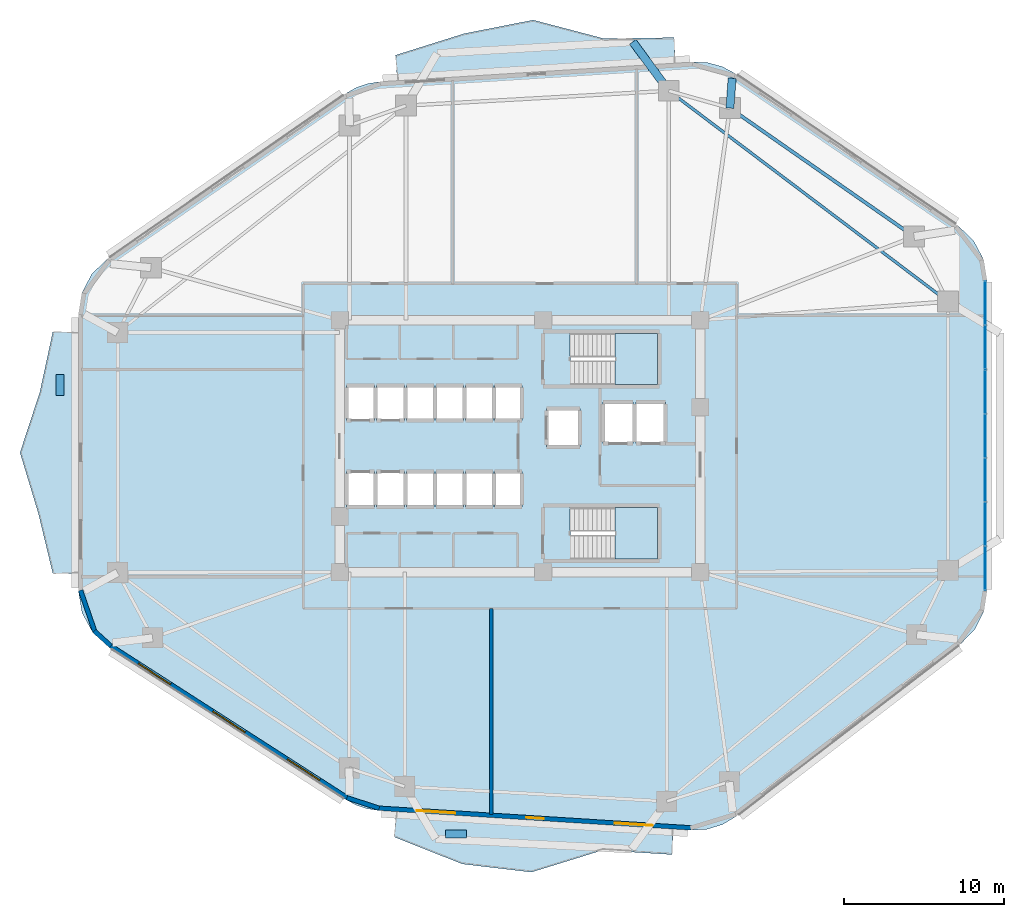
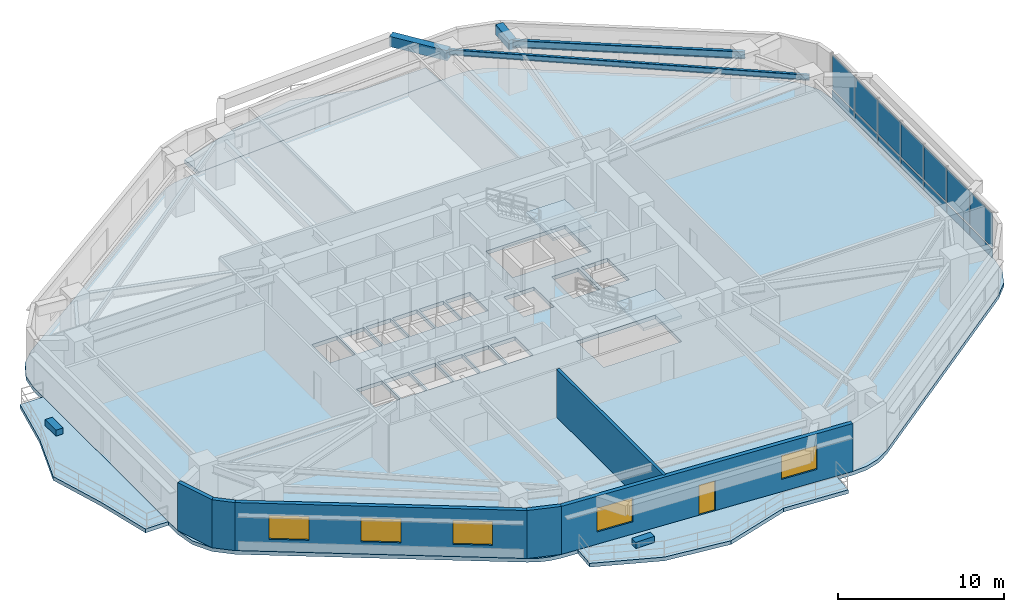
# One storey, part 7 of 14: 16 plates, 6 slabs, 6 walls, 5 windows, 4 beams, 1 door, 6 openings, 3 elements without a shape of their own.
"""IFC4 building model written with IfcOpenShell, lengths in metres."""

from ifc_helpers import new_model, si_unit, direction, frame, frame_2d, origin, origin_2d, place, context, subcontext, project, spatial, polyline, rectangle, i_section, outline, extrude, material, layer, layer_set, material_profile, profile_set, type_object, element, fill, aggregate, save


model = new_model("IFC4")

# Units and contexts
model_context = context("Model", 3, precision=1e-05, world=origin(), true_north=direction((0.0, 1.0)))
body_context = subcontext(model_context, "Body", "Model", "MODEL_VIEW")
ifc_project = project(units=[si_unit("LENGTHUNIT", "METRE"), si_unit("AREAUNIT", "SQUARE_METRE"), si_unit("VOLUMEUNIT", "CUBIC_METRE"), si_unit("PLANEANGLEUNIT", "RADIAN"), si_unit("MASSUNIT", "GRAM", prefix="KILO")], contexts=[model_context])

# Site, building, storey
site_placement = place(None, origin())
site = spatial("IfcSite", under=ifc_project, at=site_placement, CompositionType="ELEMENT")
building_placement = place(site_placement, origin())
building = spatial("IfcBuilding", under=site, at=building_placement, Name="Zulverin Broadcast Headquarters", CompositionType="ELEMENT")
storey_placement = place(building_placement, frame((0.0, 0.0, 40.199951171875)))
storey = spatial("IfcBuildingStorey", under=building, at=storey_placement, Name="L09", CompositionType="ELEMENT", Elevation=40.199951171875)

# Beams
ifc_material_1 = material(Name="Concrete C40/50", Category="concrete")
ifc_material_profile_1 = material_profile(ifc_material_1, rectangle(XDim=0.5, YDim=0.75, at=origin_2d()), Name="Concrete C40/50", Category="concrete")
ifc_profile_set_1 = profile_set([ifc_material_profile_1], Name="Concrete C40/50")
beam_type_1 = type_object("IfcBeamType", Name="BM-RC-500x750", PredefinedType="BEAM", material=ifc_profile_set_1)
beam_1_placement = place(storey_placement, frame((50.121826171875, 46.325927734375, 3.150146484375), z_axis=(0.073023006252, 0.997330256514, 0.0), x_axis=(-0.997330256514, 0.073023006252, 0.0)))
element("IfcBeam", 1, at=beam_1_placement, inside=storey, type_object=beam_type_1, Name="L10 Plate Overhang Back-Spanned Beam OVR-08", PredefinedType="BEAM", context=body_context, shape_type="SweptSolid", body=[
    extrude(rectangle(XDim=0.5, YDim=0.75, at=origin_2d()), origin(), (0.0, 0.0, 1.0), 1.875732421875),
])
beam_2_placement = place(storey_placement, frame((46.30224609375, 47.4091796875, 3.150146484375), z_axis=(-0.592925064887, 0.805257640404, 0.0), x_axis=(-0.805257640404, -0.592925064887, 0.0)))
element("IfcBeam", 2, at=beam_2_placement, inside=storey, type_object=beam_type_1, Name="L10 Balcony Column-Framed Cantilever BAL_N-1", PredefinedType="BEAM", context=body_context, shape_type="SweptSolid", body=[
    extrude(rectangle(XDim=0.5, YDim=0.75, at=origin_2d()), origin(), (0.0, 0.0, 1.0), 3.800048828125),
])
ifc_material_2 = material(Name="Structural steel S355JR", Category="steel")
ifc_material_profile_2 = material_profile(ifc_material_2, i_section(OverallWidth=0.179443359375, OverallDepth=0.412841796875, WebThickness=0.009521484375, FlangeThickness=0.01611328125, at=origin_2d()), Name="Structural steel S355JR", Category="steel")
ifc_profile_set_2 = profile_set([ifc_material_profile_2], Name="Structural steel S355JR")
beam_type_2 = type_object("IfcBeamType", Name="BM-UB-406", PredefinedType="JOIST", material=ifc_profile_set_2)
beam_3_placement = place(storey_placement, frame((63.75, 34.235107421875, 3.318603515625), z_axis=(-0.798058136838, 0.602580459546, 0.0), x_axis=(-0.602580459546, -0.798058136838, 0.0)))
element("IfcBeam", 3, at=beam_3_placement, inside=storey, type_object=beam_type_2, Name="L09 Chordal Floor Joist J-02", PredefinedType="JOIST", context=body_context, shape_type="SweptSolid", body=[
    extrude(i_section(OverallWidth=0.179443359375, OverallDepth=0.412841796875, WebThickness=0.009521484375, FlangeThickness=0.01611328125, at=origin_2d()), origin(), (0.0, 0.0, 1.0), 21.86279296875),
])
ifc_material_profile_3 = material_profile(ifc_material_2, i_section(OverallWidth=0.2119140625, OverallDepth=0.54443359375, WebThickness=0.0126953125, FlangeThickness=0.021240234375, at=origin_2d()), Name="Structural steel S355JR", Category="steel")
ifc_profile_set_3 = profile_set([ifc_material_profile_3], Name="Structural steel S355JR")
beam_type_3 = type_object("IfcBeamType", Name="BM-UB-533", PredefinedType="SPANDREL", material=ifc_profile_set_3)
beam_4_placement = place(storey_placement, frame((61.630126953125, 38.298583984375, 3.2529296875), z_axis=(-0.820183915206, 0.5720999434, 0.0), x_axis=(-0.5720999434, -0.820183915206, 0.0)))
element("IfcBeam", 4, at=beam_4_placement, inside=storey, type_object=beam_type_3, Name="L09 Perimeter Spandrel Beam SP-07", PredefinedType="SPANDREL", context=body_context, shape_type="SweptSolid", body=[
    extrude(i_section(OverallWidth=0.2119140625, OverallDepth=0.54443359375, WebThickness=0.0126953125, FlangeThickness=0.021240234375, at=origin_2d()), origin(), (0.0, 0.0, 1.0), 14.03125),
])

# Curtain wall, plates
ifc_material_3 = material(Name="Low-zone ribbon unitised curtain wall", Category="aluminium")
curtain_wall_type = type_object("IfcCurtainWallType", Name="CW-TWR-LOW", PredefinedType="USERDEFINED", material=ifc_material_3)
curtain_wall_placement = place(storey_placement, origin())
curtain_wall = element("IfcCurtainWall", 5, at=curtain_wall_placement, inside=storey, type_object=curtain_wall_type, Name="L09 Unitised Curtain Wall CW-L09-E3", ObjectType="UNITISED CURTAIN WALL", PredefinedType="USERDEFINED")
ifc_material_4 = material(Name="Low-E double-glazed pale-silver vision glass", Category="glass")
ifc_layer_1 = layer(ifc_material_4, 0.035888671875, Name="Low-E double-glazed pale-silver vision glass", Category="glass")
ifc_layer_set_1 = layer_set([ifc_layer_1], Name="Low-E double-glazed pale-silver vision glass")
plate_type_1 = type_object("IfcPlateType", Name="CW-PNL-GLZ", PredefinedType="CURTAIN_PANEL", material=ifc_layer_set_1)
plate_1_placement = place(storey_placement, frame((66.080078125, 17.564208984375, 0.910888671875), z_axis=(0.0, 0.0, 1.0), x_axis=(0.0, 1.0, 0.0)))
plate_1 = element("IfcPlate", 6, at=plate_1_placement, type_object=plate_type_1, Name="CW-L09-E3 Vision Panel 00", PredefinedType="CURTAIN_PANEL", context=body_context, shape_type="SweptSolid", body=[
    extrude(rectangle(XDim=2.7216796875, YDim=0.035888671875, at=origin_2d()), origin(), (0.0, 0.0, 1.0), 2.47412109375),
])
plate_2_placement = place(storey_placement, frame((66.080078125, 20.32568359375, 0.910888671875), z_axis=(0.0, 0.0, 1.0), x_axis=(0.0, 1.0, 0.0)))
plate_2 = element("IfcPlate", 7, at=plate_2_placement, type_object=plate_type_1, Name="CW-L09-E3 Vision Panel 01", PredefinedType="CURTAIN_PANEL", context=body_context, shape_type="SweptSolid", body=[
    extrude(rectangle(XDim=2.7216796875, YDim=0.035888671875, at=origin_2d()), origin(), (0.0, 0.0, 1.0), 2.47412109375),
])
plate_3_placement = place(storey_placement, frame((66.080078125, 23.08740234375, 0.910888671875), z_axis=(0.0, 0.0, 1.0), x_axis=(0.0, 1.0, 0.0)))
plate_3 = element("IfcPlate", 8, at=plate_3_placement, type_object=plate_type_1, Name="CW-L09-E3 Vision Panel 02", PredefinedType="CURTAIN_PANEL", context=body_context, shape_type="SweptSolid", body=[
    extrude(rectangle(XDim=2.7216796875, YDim=0.035888671875, at=origin_2d()), origin(), (0.0, 0.0, 1.0), 2.47412109375),
])
plate_4_placement = place(storey_placement, frame((66.080078125, 25.848876953125, 0.910888671875), z_axis=(0.0, 0.0, 1.0), x_axis=(0.0, 1.0, 0.0)))
plate_4 = element("IfcPlate", 9, at=plate_4_placement, type_object=plate_type_1, Name="CW-L09-E3 Vision Panel 03", PredefinedType="CURTAIN_PANEL", context=body_context, shape_type="SweptSolid", body=[
    extrude(rectangle(XDim=2.7216796875, YDim=0.035888671875, at=origin_2d()), origin(), (0.0, 0.0, 1.0), 2.47412109375),
])
plate_5_placement = place(storey_placement, frame((66.080078125, 28.610595703125, 0.910888671875), z_axis=(0.0, 0.0, 1.0), x_axis=(0.0, 1.0, 0.0)))
plate_5 = element("IfcPlate", 10, at=plate_5_placement, type_object=plate_type_1, Name="CW-L09-E3 Vision Panel 04", PredefinedType="CURTAIN_PANEL", context=body_context, shape_type="SweptSolid", body=[
    extrude(rectangle(XDim=2.7216796875, YDim=0.035888671875, at=origin_2d()), origin(), (0.0, 0.0, 1.0), 2.47412109375),
])
plate_6_placement = place(storey_placement, frame((66.080078125, 31.3720703125, 0.910888671875), z_axis=(0.0, 0.0, 1.0), x_axis=(0.0, 1.0, 0.0)))
plate_6 = element("IfcPlate", 11, at=plate_6_placement, type_object=plate_type_1, Name="CW-L09-E3 Vision Panel 05", PredefinedType="CURTAIN_PANEL", context=body_context, shape_type="SweptSolid", body=[
    extrude(rectangle(XDim=2.7216796875, YDim=0.035888671875, at=origin_2d()), origin(), (0.0, 0.0, 1.0), 2.47412109375),
])
plate_7_placement = place(storey_placement, frame((66.080078125, 34.1337890625, 0.910888671875), z_axis=(0.0, 0.0, 1.0), x_axis=(0.0, 1.0, 0.0)))
plate_7 = element("IfcPlate", 12, at=plate_7_placement, type_object=plate_type_1, Name="CW-L09-E3 Vision Panel 06", PredefinedType="CURTAIN_PANEL", context=body_context, shape_type="SweptSolid", body=[
    extrude(rectangle(XDim=2.7216796875, YDim=0.035888671875, at=origin_2d()), origin(), (0.0, 0.0, 1.0), 2.47412109375),
])
ifc_material_5 = material(Name="Insulated brushed pale-aluminium spandrel cassette", Category="aluminium")
ifc_layer_2 = layer(ifc_material_5, 0.050048828125, Name="Insulated brushed pale-aluminium spandrel cassette", Category="aluminium")
ifc_layer_set_2 = layer_set([ifc_layer_2], Name="Insulated brushed pale-aluminium spandrel cassette")
plate_type_2 = type_object("IfcPlateType", Name="CW-PNL-SPN", PredefinedType="CURTAIN_PANEL", material=ifc_layer_set_2)
plate_8_placement = place(storey_placement, frame((66.080078125, 17.564208984375, 0.139892578125), z_axis=(0.0, 0.0, 1.0), x_axis=(0.0, 1.0, 0.0)))
plate_8 = element("IfcPlate", 13, at=plate_8_placement, type_object=plate_type_2, Name="CW-L09-E3 Spandrel Cassette 00", PredefinedType="CURTAIN_PANEL", context=body_context, shape_type="SweptSolid", body=[
    extrude(rectangle(XDim=2.7216796875, YDim=0.050048828125, at=origin_2d()), origin(), (0.0, 0.0, 1.0), 0.64111328125),
])
plate_9_placement = place(storey_placement, frame((66.080078125, 20.32568359375, 0.139892578125), z_axis=(0.0, 0.0, 1.0), x_axis=(0.0, 1.0, 0.0)))
plate_9 = element("IfcPlate", 14, at=plate_9_placement, type_object=plate_type_2, Name="CW-L09-E3 Spandrel Cassette 01", PredefinedType="CURTAIN_PANEL", context=body_context, shape_type="SweptSolid", body=[
    extrude(rectangle(XDim=2.7216796875, YDim=0.050048828125, at=origin_2d()), origin(), (0.0, 0.0, 1.0), 0.64111328125),
])
plate_10_placement = place(storey_placement, frame((66.080078125, 23.08740234375, 0.139892578125), z_axis=(0.0, 0.0, 1.0), x_axis=(0.0, 1.0, 0.0)))
plate_10 = element("IfcPlate", 15, at=plate_10_placement, type_object=plate_type_2, Name="CW-L09-E3 Spandrel Cassette 02", PredefinedType="CURTAIN_PANEL", context=body_context, shape_type="SweptSolid", body=[
    extrude(rectangle(XDim=2.7216796875, YDim=0.050048828125, at=origin_2d()), origin(), (0.0, 0.0, 1.0), 0.64111328125),
])
plate_11_placement = place(storey_placement, frame((66.080078125, 25.848876953125, 0.139892578125), z_axis=(0.0, 0.0, 1.0), x_axis=(0.0, 1.0, 0.0)))
plate_11 = element("IfcPlate", 16, at=plate_11_placement, type_object=plate_type_2, Name="CW-L09-E3 Spandrel Cassette 03", PredefinedType="CURTAIN_PANEL", context=body_context, shape_type="SweptSolid", body=[
    extrude(rectangle(XDim=2.7216796875, YDim=0.050048828125, at=origin_2d()), origin(), (0.0, 0.0, 1.0), 0.64111328125),
])
plate_12_placement = place(storey_placement, frame((66.080078125, 28.610595703125, 0.139892578125), z_axis=(0.0, 0.0, 1.0), x_axis=(0.0, 1.0, 0.0)))
plate_12 = element("IfcPlate", 17, at=plate_12_placement, type_object=plate_type_2, Name="CW-L09-E3 Spandrel Cassette 04", PredefinedType="CURTAIN_PANEL", context=body_context, shape_type="SweptSolid", body=[
    extrude(rectangle(XDim=2.7216796875, YDim=0.050048828125, at=origin_2d()), origin(), (0.0, 0.0, 1.0), 0.64111328125),
])
plate_13_placement = place(storey_placement, frame((66.080078125, 31.3720703125, 0.139892578125), z_axis=(0.0, 0.0, 1.0), x_axis=(0.0, 1.0, 0.0)))
plate_13 = element("IfcPlate", 18, at=plate_13_placement, type_object=plate_type_2, Name="CW-L09-E3 Spandrel Cassette 05", PredefinedType="CURTAIN_PANEL", context=body_context, shape_type="SweptSolid", body=[
    extrude(rectangle(XDim=2.7216796875, YDim=0.050048828125, at=origin_2d()), origin(), (0.0, 0.0, 1.0), 0.64111328125),
])
plate_14_placement = place(storey_placement, frame((66.080078125, 34.1337890625, 0.139892578125), z_axis=(0.0, 0.0, 1.0), x_axis=(0.0, 1.0, 0.0)))
plate_14 = element("IfcPlate", 19, at=plate_14_placement, type_object=plate_type_2, Name="CW-L09-E3 Spandrel Cassette 06", PredefinedType="CURTAIN_PANEL", context=body_context, shape_type="SweptSolid", body=[
    extrude(rectangle(XDim=2.7216796875, YDim=0.050048828125, at=origin_2d()), origin(), (0.0, 0.0, 1.0), 0.64111328125),
])
aggregate(curtain_wall, [plate_8, plate_1, plate_9, plate_2, plate_10, plate_3, plate_11, plate_4, plate_12, plate_5, plate_13, plate_6, plate_14, plate_7])

# Plates
ifc_material_6 = material(Name="Precast concrete C45/55", Category="concrete")
ifc_layer_3 = layer(ifc_material_6, 0.449951171875, Name="Precast concrete C45/55", Category="concrete")
ifc_layer_set_3 = layer_set([ifc_layer_3], Name="Precast concrete C45/55")
plate_type_3 = type_object("IfcPlateType", Name="PT-01_PRECAST_GFRC_TREE_PLANTER", PredefinedType="USERDEFINED", material=ifc_layer_set_3)
for number, where, z_axis, x_axis, name in (
    (20, (8.25, 29.022216796875, -0.0048828125), (0.0, 0.0, 1.0), (0.0, 1.0, 0.0), "L09 Precast GFRC Tree Planter BAL_W"),
    (21, (32.993408203125, 0.973876953125, -0.0048828125), (0.0, 0.0, 1.0), (1.0, 0.0, 0.0), "L09 Precast GFRC Tree Planter BAL_S"),
):
    element("IfcPlate", number, at=place(storey_placement, frame(where, z_axis=z_axis, x_axis=x_axis)), inside=storey, type_object=plate_type_3, Name=name, ObjectType="PLANTER", PredefinedType="USERDEFINED", context=body_context, shape_type="SweptSolid", body=[
        extrude(rectangle(XDim=1.300048828125, YDim=0.5, at=origin_2d()), origin(), (0.0, 0.0, 1.0), 0.449951171875),
    ])

# Slabs
ifc_layer_4 = layer(ifc_material_1, 0.27490234375, Name="Concrete C40/50", Category="concrete")
ifc_layer_set_4 = layer_set([ifc_layer_4], Name="Concrete C40/50")
slab_type_1 = type_object("IfcSlabType", Name="SLB-BAL-275", PredefinedType="FLOOR", material=ifc_layer_set_4)
slab_1_placement = place(storey_placement, frame((0.0, 0.0, -0.27490234375)))
element("IfcSlab", 22, at=slab_1_placement, inside=storey, type_object=slab_type_1, Name="L09 Cantilevered Planted Balcony Slab BAL_N", PredefinedType="FLOOR", context=body_context, shape_type="SweptSolid", body=[
    extrude(outline(polyline([(29.330078125, 48.04296875), (46.72509765625, 49.139892578125), (46.62451171875, 50.73681640625), (42.2626953125, 50.6689453125), (37.8232421875, 51.8349609375), (33.5107421875, 50.985107421875), (29.2294921875, 49.639892578125), (29.330078125, 48.04296875)])), origin(), (0.0, 0.0, 1.0), 0.27490234375),
])
slab_2_placement = place(storey_placement, frame((0.0, 0.0, -0.27490234375)))
element("IfcSlab", 23, at=slab_2_placement, inside=storey, type_object=slab_type_1, Name="L09 Cantilevered Planted Balcony Slab BAL_W", PredefinedType="FLOOR", context=body_context, shape_type="SweptSolid", body=[
    extrude(outline(polyline([(9.39990234375, 17.24365234375), (9.39990234375, 32.344482421875), (7.800048828125, 32.344482421875), (6.988037109375, 28.569091796875), (5.75, 24.7939453125), (6.89111328125, 21.018798828125), (7.800048828125, 17.24365234375), (9.39990234375, 17.24365234375)])), origin(), (0.0, 0.0, 1.0), 0.27490234375),
])
slab_3_placement = place(storey_placement, frame((0.0, 0.0, -0.27490234375)))
element("IfcSlab", 24, at=slab_3_placement, inside=storey, type_object=slab_type_1, Name="L09 Cantilevered Planted Balcony Slab BAL_S", PredefinedType="FLOOR", context=body_context, shape_type="SweptSolid", body=[
    extrude(outline(polyline([(46.5927734375, 1.268310546875), (29.250244140625, 2.3623046875), (29.149658203125, 0.765380859375), (33.396484375, -0.9169921875), (37.717041015625, -1.42822265625), (42.156494140625, -0.054931640625), (46.4921875, -0.328369140625), (46.5927734375, 1.268310546875)])), origin(), (0.0, 0.0, 1.0), 0.27490234375),
])

# Stair, slab
stair_type = type_object("IfcStairType", Name="ST-CORE-1500", PredefinedType="HALF_TURN_STAIR", material=ifc_material_1)
stair_1_placement = place(storey_placement, origin())
stair_1 = element("IfcStair", 25, at=stair_1_placement, inside=storey, type_object=stair_type, Name="L09 Core Exit Stair ST-1", PredefinedType="HALF_TURN_STAIR")
ifc_layer_5 = layer(ifc_material_1, 0.199951171875, Name="Concrete C40/50", Category="concrete")
ifc_layer_set_5 = layer_set([ifc_layer_5], Name="Concrete C40/50")
slab_type_2 = type_object("IfcSlabType", Name="SLB-ST-LND200", PredefinedType="LANDING", material=ifc_layer_set_5)
slab_4_placement = place(storey_placement, frame((0.0, 0.0, 1.699951171875)))
slab_4 = element("IfcSlab", 26, at=slab_4_placement, type_object=slab_type_2, Name="ST-1 landing 1", PredefinedType="LANDING", context=body_context, shape_type="SweptSolid", body=[
    extrude(outline(polyline([(42.929931640625, 29.050048828125), (45.60009765625, 29.050048828125), (45.60009765625, 32.25), (42.929931640625, 32.25), (42.929931640625, 29.050048828125)])), origin(), (0.0, 0.0, 1.0), 0.2001953125),
])
aggregate(stair_1, [slab_4])

stair_2_placement = place(storey_placement, origin())
stair_2 = element("IfcStair", 27, at=stair_2_placement, inside=storey, type_object=stair_type, Name="L09 Core Exit Stair ST-2", PredefinedType="HALF_TURN_STAIR")
slab_5_placement = place(storey_placement, frame((0.0, 0.0, 1.699951171875)))
slab_5 = element("IfcSlab", 28, at=slab_5_placement, type_object=slab_type_2, Name="ST-2 landing 1", PredefinedType="LANDING", context=body_context, shape_type="SweptSolid", body=[
    extrude(outline(polyline([(42.929931640625, 18.14990234375), (45.60009765625, 18.14990234375), (45.60009765625, 21.35009765625), (42.929931640625, 21.35009765625), (42.929931640625, 18.14990234375)])), origin(), (0.0, 0.0, 1.0), 0.2001953125),
])
aggregate(stair_2, [slab_5])

# Slab
ifc_layer_6 = layer(ifc_material_1, 0.27490234375, Name="Concrete C40/50", Category="concrete")
ifc_layer_set_6 = layer_set([ifc_layer_6], Name="Concrete C40/50")
slab_type_3 = type_object("IfcSlabType", Name="SLB-TWR-275", PredefinedType="FLOOR", material=ifc_layer_set_6)
slab_6_placement = place(storey_placement, frame((0.0, 0.0, -0.27490234375)))
element("IfcSlab", 29, at=slab_6_placement, inside=storey, type_object=slab_type_3, Name="L09 Main Structural Floor Slab", PredefinedType="FLOOR", context=body_context, shape_type="SweptSolid", body=[
    extrude(outline(polyline([(26.146484375, 3.089599609375), (26.774658203125, 2.75732421875), (27.44970703125, 2.535888671875), (28.152587890625, 2.431396484375), (47.690673828125, 1.19921875), (48.69189453125, 1.256103515625), (49.6513671875, 1.548828125), (50.51416015625, 2.060546875), (64.55908203125, 12.85302734375), (65.44140625, 13.77587890625), (66.005859375, 14.92138671875), (66.199951171875, 16.183349609375), (66.199951171875, 35.514404296875), (65.981689453125, 36.85107421875), (65.349365234375, 38.048583984375), (64.368896484375, 38.982666015625), (50.456298828125, 48.485595703125), (49.639404296875, 48.920166015625), (48.747314453125, 49.165283203125), (47.822998046875, 49.208984375), (28.232421875, 47.9736328125), (27.481201171875, 47.857421875), (26.76318359375, 47.607666015625), (26.102294921875, 47.232666015625), (11.20556640625, 36.89501953125), (10.238037109375, 35.9619140625), (9.614990234375, 34.77099609375), (9.39990234375, 33.4443359375), (9.39990234375, 16.1435546875), (9.631103515625, 14.769775390625), (10.298583984375, 13.547119140625), (11.32958984375, 12.610107421875), (26.146484375, 3.089599609375)]), holes=[polyline([(40.155029296875, 30.75), (40.130126953125, 30.75), (40.130126953125, 32.25), (45.60009765625, 32.25), (45.60009765625, 29.050048828125), (40.155029296875, 29.050048828125), (40.155029296875, 30.75)]), polyline([(40.155029296875, 19.85009765625), (40.130126953125, 19.85009765625), (40.130126953125, 21.35009765625), (45.60009765625, 21.35009765625), (45.60009765625, 18.14990234375), (40.155029296875, 18.14990234375), (40.155029296875, 19.85009765625)]), polyline([(26.14990234375, 26.800048828125), (27.89990234375, 26.800048828125), (27.89990234375, 29.0), (26.14990234375, 29.0), (26.14990234375, 26.800048828125)]), polyline([(28.02001953125, 26.800048828125), (29.77001953125, 26.800048828125), (29.77001953125, 29.0), (28.02001953125, 29.0), (28.02001953125, 26.800048828125)]), polyline([(26.14990234375, 21.39990234375), (27.89990234375, 21.39990234375), (27.89990234375, 23.60009765625), (26.14990234375, 23.60009765625), (26.14990234375, 21.39990234375)]), polyline([(28.02001953125, 21.39990234375), (29.77001953125, 21.39990234375), (29.77001953125, 23.60009765625), (28.02001953125, 23.60009765625), (28.02001953125, 21.39990234375)]), polyline([(29.89990234375, 21.39990234375), (31.6201171875, 21.39990234375), (31.6201171875, 23.60009765625), (29.89990234375, 23.60009765625), (29.89990234375, 21.39990234375)]), polyline([(31.739990234375, 21.39990234375), (33.4599609375, 21.39990234375), (33.4599609375, 23.60009765625), (31.739990234375, 23.60009765625), (31.739990234375, 21.39990234375)]), polyline([(33.580078125, 21.39990234375), (35.300048828125, 21.39990234375), (35.300048828125, 23.60009765625), (33.580078125, 23.60009765625), (33.580078125, 21.39990234375)]), polyline([(35.419921875, 21.39990234375), (37.139892578125, 21.39990234375), (37.139892578125, 23.60009765625), (35.419921875, 23.60009765625), (35.419921875, 21.39990234375)]), polyline([(29.89990234375, 26.800048828125), (31.6201171875, 26.800048828125), (31.6201171875, 29.0), (29.89990234375, 29.0), (29.89990234375, 26.800048828125)]), polyline([(31.739990234375, 26.800048828125), (33.4599609375, 26.800048828125), (33.4599609375, 29.0), (31.739990234375, 29.0), (31.739990234375, 26.800048828125)]), polyline([(33.580078125, 26.800048828125), (35.300048828125, 26.800048828125), (35.300048828125, 29.0), (33.580078125, 29.0), (33.580078125, 26.800048828125)]), polyline([(35.419921875, 26.800048828125), (37.139892578125, 26.800048828125), (37.139892578125, 29.0), (35.419921875, 29.0), (35.419921875, 26.800048828125)]), polyline([(42.199951171875, 25.35009765625), (44.050048828125, 25.35009765625), (44.050048828125, 27.949951171875), (42.199951171875, 27.949951171875), (42.199951171875, 25.35009765625)]), polyline([(44.25, 25.35009765625), (46.10009765625, 25.35009765625), (46.10009765625, 27.949951171875), (44.25, 27.949951171875), (44.25, 25.35009765625)]), polyline([(38.64990234375, 25.14990234375), (40.75, 25.14990234375), (40.75, 27.550048828125), (38.64990234375, 27.550048828125), (38.64990234375, 25.14990234375)])]), origin(), (0.0, 0.0, 1.0), 0.27490234375),
])

# Wall
ifc_material_7 = material(Name="Acoustic drywall steel stud", Category="steel")
ifc_layer_7 = layer(ifc_material_7, 0.199951171875, Name="Acoustic drywall steel stud", Category="steel")
ifc_layer_set_7 = layer_set([ifc_layer_7], Name="Acoustic drywall steel stud")
wall_type_1 = type_object("IfcWallType", Name="WL-ACOU-200", PredefinedType="PARTITIONING", material=ifc_layer_set_7)
wall_1_placement = place(storey_placement, frame((35.199951171875, 2.19189453125, 0.0), z_axis=(0.0, 0.0, 1.0), x_axis=(0.0, 1.0, 0.0)))
element("IfcWall", 30, at=wall_1_placement, inside=storey, type_object=wall_type_1, Name="L09 Room Partition Wall RP-03", PredefinedType="PARTITIONING", context=body_context, shape_type="SweptSolid", body=[
    extrude(rectangle(XDim=12.858154296875, YDim=0.199951171875, at=frame_2d((6.42919921875, 0.0))), origin(), (0.0, 0.0, 1.0), 3.525146484375),
])

# Wall, openings, door, windows
ifc_material_8 = material(Name="Insulated pale-metal clad concrete spandrel C40/50", Category="concrete")
ifc_layer_8 = layer(ifc_material_8, 0.280029296875, Name="Insulated pale-metal clad concrete spandrel C40/50", Category="concrete")
ifc_layer_set_8 = layer_set([ifc_layer_8], Name="Insulated pale-metal clad concrete spandrel C40/50")
wall_type_2 = type_object("IfcWallType", Name="WL-EXT-280", PredefinedType="STANDARD", material=ifc_layer_set_8)
wall_2_placement = place(storey_placement, frame((28.161376953125, 2.571044921875, 0.0), z_axis=(0.0, 0.0, 1.0), x_axis=(0.998017288298, -0.06294038654, 0.0)))
wall_2 = element("IfcWall", 31, at=wall_2_placement, inside=storey, type_object=wall_type_2, Name="L09 Pale-Metal Clad Spandrel Wall 1", PredefinedType="STANDARD", context=body_context, shape_type="SweptSolid", body=[
    extrude(rectangle(XDim=19.576904296875, YDim=0.280029296875, at=frame_2d((9.78857421875, 0.0))), origin(), (0.0, 0.0, 1.0), 3.525146484375),
])
opening_1_placement = place(wall_2_placement, frame((9.238525390625, 0.0, 0.0)))
opening_1 = element("IfcOpeningElement", 32, at=opening_1_placement, cuts=wall_2, Name="Opening D-L09-TR1", PredefinedType="OPENING", context=body_context, shape_type="SweptSolid", body=[
    extrude(rectangle(XDim=1.10009765625, YDim=2.199951171875, at=frame_2d((0.550048828125, 1.10009765625))), frame((0.0, 0.14990234375, 0.0), z_axis=(0.0, -1.0, 0.0), x_axis=(1.0, 0.0, 0.0)), (0.0, 0.0, 1.0), 0.300048828125),
])
opening_2_placement = place(wall_2_placement, frame((2.396240234375, 0.0, 0.89990234375)))
opening_2 = element("IfcOpeningElement", 33, at=opening_2_placement, cuts=wall_2, Name="Opening W-L09-E11", PredefinedType="OPENING", context=body_context, shape_type="SweptSolid", body=[
    extrude(rectangle(XDim=2.39990234375, YDim=1.75, at=frame_2d((1.199951171875, 0.875))), frame((0.0, 0.14990234375, 0.0), z_axis=(0.0, -1.0, 0.0), x_axis=(1.0, 0.0, 0.0)), (0.0, 0.0, 1.0), 0.300048828125),
])
opening_3_placement = place(wall_2_placement, frame((14.78076171875, 0.0, 0.89990234375)))
opening_3 = element("IfcOpeningElement", 34, at=opening_3_placement, cuts=wall_2, Name="Opening W-L09-E12", PredefinedType="OPENING", context=body_context, shape_type="SweptSolid", body=[
    extrude(rectangle(XDim=2.39990234375, YDim=1.75, at=frame_2d((1.199951171875, 0.875))), frame((0.0, 0.14990234375, 0.0), z_axis=(0.0, -1.0, 0.0), x_axis=(1.0, 0.0, 0.0)), (0.0, 0.0, 1.0), 0.300048828125),
])
ifc_material_9 = material(Name="Thermally broken aluminium glazed", Category="aluminium")
door_type = type_object("IfcDoorType", Name="DR-TERR-1100", OperationType="SINGLE_SWING_RIGHT", PredefinedType="DOOR", material=ifc_material_9)
door_placement = place(opening_1_placement, origin())
door = element("IfcDoor", 35, at=door_placement, inside=storey, type_object=door_type, Name="L09 Planted Terrace Glazed Access Door 1", OperationType="SINGLE_SWING_RIGHT", OverallHeight=2.199951171875, OverallWidth=1.10009765625, PredefinedType="DOOR", context=body_context, shape_type="SweptSolid", body=[
    extrude(rectangle(XDim=1.10009765625, YDim=2.199951171875, at=frame_2d((0.550048828125, 1.10009765625))), frame((0.0, 0.02490234375, 0.0), z_axis=(0.0, -1.0, 0.0), x_axis=(1.0, 0.0, 0.0)), (0.0, 0.0, 1.0), 0.050048828125),
])
fill(opening_1, door)
ifc_material_10 = material(Name="Pale anodized aluminium frame with solar-control low-E double glazing", Category="aluminium")
window_type = type_object("IfcWindowType", Name="WIN-RIB-2400", PartitioningType="SINGLE_PANEL", PredefinedType="WINDOW", material=ifc_material_10)
window_1_placement = place(opening_2_placement, origin())
window_1 = element("IfcWindow", 36, at=window_1_placement, inside=storey, type_object=window_type, Name="L09 Ribbon Glazing Window 1 1", OverallHeight=1.75, OverallWidth=2.39990234375, PartitioningType="SINGLE_PANEL", PredefinedType="WINDOW", context=body_context, shape_type="SweptSolid", body=[
    extrude(rectangle(XDim=2.39990234375, YDim=1.75, at=frame_2d((1.199951171875, 0.875))), frame((0.0, 0.030029296875, 0.0), z_axis=(0.0, -1.0, 0.0), x_axis=(1.0, 0.0, 0.0)), (0.0, 0.0, 1.0), 0.06005859375),
])
fill(opening_2, window_1)
window_2_placement = place(opening_3_placement, origin())
window_2 = element("IfcWindow", 37, at=window_2_placement, inside=storey, type_object=window_type, Name="L09 Ribbon Glazing Window 1 2", OverallHeight=1.75, OverallWidth=2.39990234375, PartitioningType="SINGLE_PANEL", PredefinedType="WINDOW", context=body_context, shape_type="SweptSolid", body=[
    extrude(rectangle(XDim=2.39990234375, YDim=1.75, at=frame_2d((1.199951171875, 0.875))), frame((0.0, 0.030029296875, 0.0), z_axis=(0.0, -1.0, 0.0), x_axis=(1.0, 0.0, 0.0)), (0.0, 0.0, 1.0), 0.06005859375),
])
fill(opening_3, window_2)

# Wall, openings, windows
wall_3_placement = place(storey_placement, frame((11.4052734375, 12.727783203125, 0.0), z_axis=(0.0, 0.0, 1.0), x_axis=(0.841304564637, -0.540561402175, 0.0)))
wall_3 = element("IfcWall", 38, at=wall_3_placement, inside=storey, type_object=wall_type_2, Name="L09 Pale-Metal Clad Spandrel Wall 8", PredefinedType="STANDARD", context=body_context, shape_type="SweptSolid", body=[
    extrude(rectangle(XDim=17.61181640625, YDim=0.280029296875, at=frame_2d((8.805908203125, 0.0))), origin(), (0.0, 0.0, 1.0), 3.525146484375),
])
opening_4_placement = place(wall_3_placement, frame((2.068603515625, 0.0, 0.89990234375)))
opening_4 = element("IfcOpeningElement", 39, at=opening_4_placement, cuts=wall_3, Name="Opening W-L09-E81", PredefinedType="OPENING", context=body_context, shape_type="SweptSolid", body=[
    extrude(rectangle(XDim=2.39990234375, YDim=1.75, at=frame_2d((1.199951171875, 0.875))), frame((0.0, 0.14990234375, 0.0), z_axis=(0.0, -1.0, 0.0), x_axis=(1.0, 0.0, 0.0)), (0.0, 0.0, 1.0), 0.300048828125),
])
opening_5_placement = place(wall_3_placement, frame((7.60595703125, 0.0, 0.89990234375)))
opening_5 = element("IfcOpeningElement", 40, at=opening_5_placement, cuts=wall_3, Name="Opening W-L09-E82", PredefinedType="OPENING", context=body_context, shape_type="SweptSolid", body=[
    extrude(rectangle(XDim=2.39990234375, YDim=1.75, at=frame_2d((1.199951171875, 0.875))), frame((0.0, 0.14990234375, 0.0), z_axis=(0.0, -1.0, 0.0), x_axis=(1.0, 0.0, 0.0)), (0.0, 0.0, 1.0), 0.300048828125),
])
opening_6_placement = place(wall_3_placement, frame((13.143310546875, 0.0, 0.89990234375)))
opening_6 = element("IfcOpeningElement", 41, at=opening_6_placement, cuts=wall_3, Name="Opening W-L09-E83", PredefinedType="OPENING", context=body_context, shape_type="SweptSolid", body=[
    extrude(rectangle(XDim=2.39990234375, YDim=1.75, at=frame_2d((1.199951171875, 0.875))), frame((0.0, 0.14990234375, 0.0), z_axis=(0.0, -1.0, 0.0), x_axis=(1.0, 0.0, 0.0)), (0.0, 0.0, 1.0), 0.300048828125),
])
window_3_placement = place(opening_4_placement, origin())
window_3 = element("IfcWindow", 42, at=window_3_placement, inside=storey, type_object=window_type, Name="L09 Ribbon Glazing Window 8 1", OverallHeight=1.75, OverallWidth=2.39990234375, PartitioningType="SINGLE_PANEL", PredefinedType="WINDOW", context=body_context, shape_type="SweptSolid", body=[
    extrude(rectangle(XDim=2.39990234375, YDim=1.75, at=frame_2d((1.199951171875, 0.875))), frame((0.0, 0.030029296875, 0.0), z_axis=(0.0, -1.0, 0.0), x_axis=(1.0, 0.0, 0.0)), (0.0, 0.0, 1.0), 0.06005859375),
])
fill(opening_4, window_3)
window_4_placement = place(opening_5_placement, origin())
window_4 = element("IfcWindow", 43, at=window_4_placement, inside=storey, type_object=window_type, Name="L09 Ribbon Glazing Window 8 2", OverallHeight=1.75, OverallWidth=2.39990234375, PartitioningType="SINGLE_PANEL", PredefinedType="WINDOW", context=body_context, shape_type="SweptSolid", body=[
    extrude(rectangle(XDim=2.39990234375, YDim=1.75, at=frame_2d((1.199951171875, 0.875))), frame((0.0, 0.030029296875, 0.0), z_axis=(0.0, -1.0, 0.0), x_axis=(1.0, 0.0, 0.0)), (0.0, 0.0, 1.0), 0.06005859375),
])
fill(opening_5, window_4)
window_5_placement = place(opening_6_placement, origin())
window_5 = element("IfcWindow", 44, at=window_5_placement, inside=storey, type_object=window_type, Name="L09 Ribbon Glazing Window 8 3", OverallHeight=1.75, OverallWidth=2.39990234375, PartitioningType="SINGLE_PANEL", PredefinedType="WINDOW", context=body_context, shape_type="SweptSolid", body=[
    extrude(rectangle(XDim=2.39990234375, YDim=1.75, at=frame_2d((1.199951171875, 0.875))), frame((0.0, 0.030029296875, 0.0), z_axis=(0.0, -1.0, 0.0), x_axis=(1.0, 0.0, 0.0)), (0.0, 0.0, 1.0), 0.06005859375),
])
fill(opening_6, window_5)

# Walls
wall_4_placement = place(storey_placement, frame((9.5322265625, 16.189453125, 0.0), z_axis=(0.0, 0.0, 1.0), x_axis=(0.32708309668, -0.944995580871, 0.0)))
element("IfcWall", 45, at=wall_4_placement, inside=storey, type_object=wall_type_2, Name="L09 Wind-Shaped Corner Spandrel Wall 7-1", PredefinedType="STANDARD", context=body_context, shape_type="SweptSolid", body=[
    extrude(rectangle(XDim=2.74755859375, YDim=0.280029296875, at=frame_2d((1.373779296875, 0.0))), origin(), (0.0, 0.0, 1.0), 3.525146484375),
])
wall_5_placement = place(storey_placement, frame((10.392822265625, 13.650634765625, 0.0), z_axis=(0.0, 0.0, 1.0), x_axis=(0.74003521851, -0.672568119498, 0.0)))
element("IfcWall", 46, at=wall_5_placement, inside=storey, type_object=wall_type_2, Name="L09 Wind-Shaped Corner Spandrel Wall 7-2", PredefinedType="STANDARD", context=body_context, shape_type="SweptSolid", body=[
    extrude(rectangle(XDim=1.39306640625, YDim=0.280029296875, at=frame_2d((0.696533203125, 0.0))), origin(), (0.0, 0.0, 1.0), 3.525146484375),
])
wall_6_placement = place(storey_placement, frame((26.18994140625, 3.22265625, 0.0), z_axis=(0.0, 0.0, 1.0), x_axis=(0.95016442175, -0.311749212734, 0.0)))
element("IfcWall", 47, at=wall_6_placement, inside=storey, type_object=wall_type_2, Name="L09 Wind-Shaped Corner Spandrel Wall 8-1", PredefinedType="STANDARD", context=body_context, shape_type="SweptSolid", body=[
    extrude(rectangle(XDim=2.111328125, YDim=0.280029296875, at=frame_2d((1.0556640625, 0.0))), origin(), (0.0, 0.0, 1.0), 3.525146484375),
])

save(model, "model.ifc")
